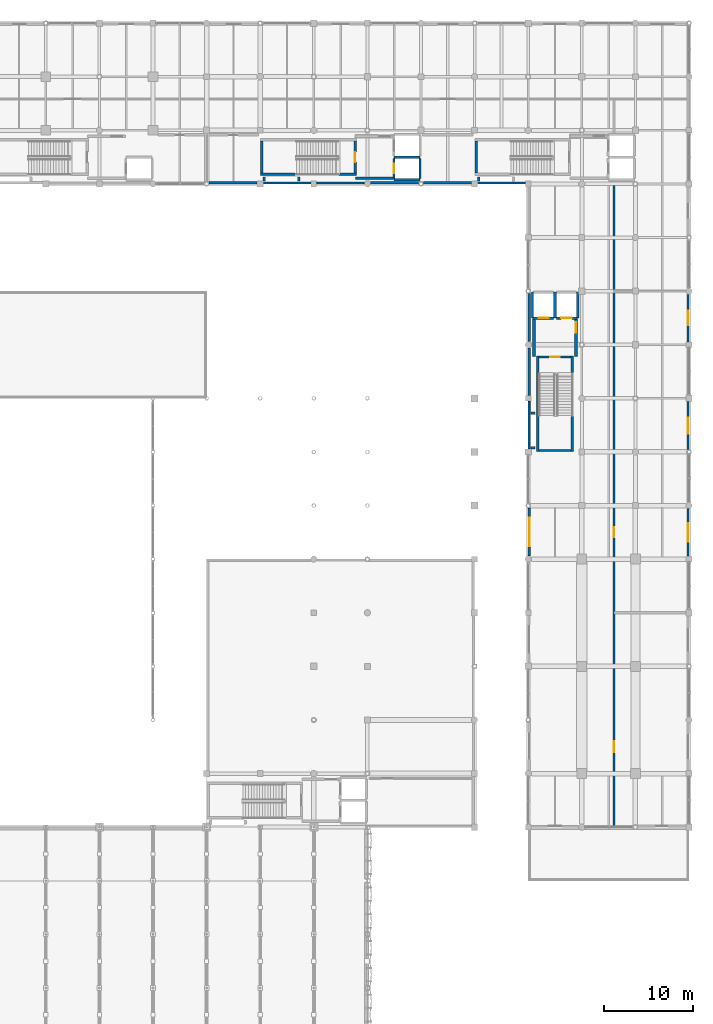
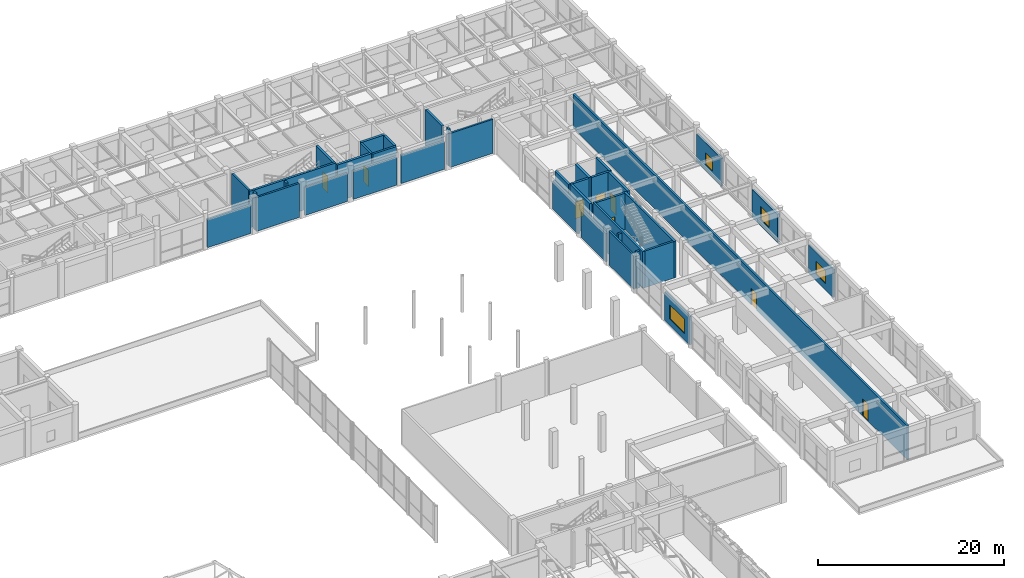
# One storey, part 103 of 123: 39 walls, 8 doors, 4 windows, 12 openings.
"""IFC4 building model written with IfcOpenShell, lengths in metres."""

from ifc_helpers import new_model, si_unit, direction, frame, frame_2d, origin, place, context, subcontext, project, spatial, rectangle, extrude, material, layer, layer_set, type_object, element, fill, save


model = new_model("IFC4")

# Units and contexts
model_context = context("Model", 3, precision=1e-05, world=origin(), true_north=direction((0.0, 1.0)))
body_context = subcontext(model_context, "Body", "Model", "MODEL_VIEW")
ifc_project = project(units=[si_unit("LENGTHUNIT", "METRE"), si_unit("AREAUNIT", "SQUARE_METRE"), si_unit("VOLUMEUNIT", "CUBIC_METRE"), si_unit("PLANEANGLEUNIT", "RADIAN"), si_unit("MASSUNIT", "GRAM", prefix="KILO"), si_unit("THERMODYNAMICTEMPERATUREUNIT", "KELVIN"), si_unit("POWERUNIT", "WATT")], contexts=[model_context])

# Site, building, storey
site_placement = place(None, origin())
site = spatial("IfcSite", under=ifc_project, at=site_placement, CompositionType="ELEMENT")
building_placement = place(site_placement, origin())
building = spatial("IfcBuilding", under=site, at=building_placement, Name="Phaisarnlok Congress Hotel", CompositionType="ELEMENT")
storey_placement = place(building_placement, frame((0.0, 0.0, 15.0)))
storey = spatial("IfcBuildingStorey", under=building, at=storey_placement, Name="L03", CompositionType="ELEMENT", Elevation=15.0)

# Walls
ifc_material_1 = material(Name="Concrete C40/50", Category="concrete")
ifc_layer_1 = layer(ifc_material_1, 0.2099609375, Name="Concrete C40/50")
ifc_layer_set_1 = layer_set([ifc_layer_1], Name="Concrete C40/50")
wall_type_1 = type_object("IfcWallType", Name="WL-EXT-210", PredefinedType="SOLIDWALL", material=ifc_layer_set_1)
wall_1_placement = place(storey_placement, frame((138.330078125, 108.10498046875, 0.0), z_axis=(0.0, 0.0, 1.0), x_axis=(1.0, 0.0, 0.0)))
element("IfcWall", 1, at=wall_1_placement, inside=storey, type_object=wall_type_1, Name="Exterior wall EW-07 (L03)", PredefinedType="SOLIDWALL", context=body_context, shape_type="SweptSolid", body=[
    extrude(rectangle(XDim=5.31494140625, YDim=0.2099609375, at=frame_2d((2.657470703125, 0.0))), origin(), (0.0, 0.0, 1.0), 3.699951171875),
])
wall_2_placement = place(storey_placement, frame((162.10498046875, 83.669921875, 0.0), z_axis=(0.0, 0.0, 1.0), x_axis=(0.0, -1.0, 0.0)))
element("IfcWall", 2, at=wall_2_placement, inside=storey, type_object=wall_type_1, Name="Exterior wall EW-07 (L03)", PredefinedType="SOLIDWALL", context=body_context, shape_type="SweptSolid", body=[
    extrude(rectangle(XDim=5.31494140625, YDim=0.2099609375, at=frame_2d((2.657470703125, 0.0))), origin(), (0.0, 0.0, 1.0), 4.449951171875),
])

# Wall, opening, window
wall_3_placement = place(storey_placement, frame((179.89501953125, 66.330078125, 0.0), z_axis=(0.0, 0.0, 1.0), x_axis=(0.0, 1.0, 0.0)))
wall_3 = element("IfcWall", 3, at=wall_3_placement, inside=storey, type_object=wall_type_1, Name="Exterior wall EW-07 (L03)", PredefinedType="SOLIDWALL", context=body_context, shape_type="SweptSolid", body=[
    extrude(rectangle(XDim=5.31494140625, YDim=0.2099609375, at=frame_2d((2.657470703125, 0.0))), origin(), (0.0, 0.0, 1.0), 3.699951171875),
])
opening_1_placement = place(wall_3_placement, frame((1.60693359375, 0.0, 0.85009765625)))
opening_1 = element("IfcOpeningElement", 4, at=opening_1_placement, cuts=wall_3, Name="Opening W-09", PredefinedType="OPENING", context=body_context, shape_type="SweptSolid", body=[
    extrude(rectangle(XDim=2.10009765625, YDim=1.699951171875, at=frame_2d((1.050048828125, 0.85009765625))), frame((0.0, 0.114990234375, 0.0), z_axis=(0.0, -1.0, 0.0), x_axis=(1.0, 0.0, 0.0)), (0.0, 0.0, 1.0), 0.22998046875),
])
ifc_material_2 = material(Name="Thermally Broken Aluminium & Low-E Double Glazing", Category="aluminium")
window_type_1 = type_object("IfcWindowType", Name="WIN-POD-2100", PartitioningType="SINGLE_PANEL", PredefinedType="WINDOW", material=ifc_material_2)
window_1_placement = place(opening_1_placement, origin())
window_1 = element("IfcWindow", 5, at=window_1_placement, inside=storey, type_object=window_type_1, Name="Podium window W-09 (L03)", OverallHeight=1.699951171875, OverallWidth=2.10009765625, PartitioningType="SINGLE_PANEL", PredefinedType="WINDOW", context=body_context, shape_type="SweptSolid", body=[
    extrude(rectangle(XDim=2.10009765625, YDim=1.699951171875, at=frame_2d((1.050048828125, 0.85009765625))), frame((0.0, 0.030029296875, 0.0), z_axis=(0.0, -1.0, 0.0), x_axis=(1.0, 0.0, 0.0)), (0.0, 0.0, 1.0), 0.06005859375),
])
fill(opening_1, window_1)

wall_4_placement = place(storey_placement, frame((179.89501953125, 90.330078125, 0.0), z_axis=(0.0, 0.0, 1.0), x_axis=(0.0, 1.0, 0.0)))
wall_4 = element("IfcWall", 6, at=wall_4_placement, inside=storey, type_object=wall_type_1, Name="Exterior wall EW-07 (L03)", PredefinedType="SOLIDWALL", context=body_context, shape_type="SweptSolid", body=[
    extrude(rectangle(XDim=5.31494140625, YDim=0.2099609375, at=frame_2d((2.657470703125, 0.0))), origin(), (0.0, 0.0, 1.0), 3.699951171875),
])
opening_2_placement = place(wall_4_placement, frame((1.85693359375, 0.0, 0.85009765625)))
opening_2 = element("IfcOpeningElement", 7, at=opening_2_placement, cuts=wall_4, Name="Opening W-11", PredefinedType="OPENING", context=body_context, shape_type="SweptSolid", body=[
    extrude(rectangle(XDim=1.60009765625, YDim=1.5, at=frame_2d((0.800048828125, 0.75))), frame((0.0, 0.114990234375, 0.0), z_axis=(0.0, -1.0, 0.0), x_axis=(1.0, 0.0, 0.0)), (0.0, 0.0, 1.0), 0.22998046875),
])
window_type_2 = type_object("IfcWindowType", Name="WIN-POD-1600", PartitioningType="SINGLE_PANEL", PredefinedType="WINDOW", material=ifc_material_2)
window_2_placement = place(opening_2_placement, origin())
window_2 = element("IfcWindow", 8, at=window_2_placement, inside=storey, type_object=window_type_2, Name="Podium window W-11 (L03)", OverallHeight=1.5, OverallWidth=1.60009765625, PartitioningType="SINGLE_PANEL", PredefinedType="WINDOW", context=body_context, shape_type="SweptSolid", body=[
    extrude(rectangle(XDim=1.60009765625, YDim=1.5, at=frame_2d((0.800048828125, 0.75))), frame((0.0, 0.030029296875, 0.0), z_axis=(0.0, -1.0, 0.0), x_axis=(1.0, 0.0, 0.0)), (0.0, 0.0, 1.0), 0.06005859375),
])
fill(opening_2, window_2)

# Walls
ifc_layer_2 = layer(ifc_material_1, 0.22998046875, Name="Concrete C40/50")
ifc_layer_set_2 = layer_set([ifc_layer_2], Name="Concrete C40/50")
wall_type_2 = type_object("IfcWallType", Name="WL-EXT-230", PredefinedType="SOLIDWALL", material=ifc_layer_set_2)
for number, where, z_axis, x_axis, name in (
    (9, (132.35498046875, 108.114990234375, 0.0), (0.0, 0.0, 1.0), (1.0, 0.0, 0.0), "Exterior wall EW-06 (L03)"),
    (10, (156.35498046875, 108.114990234375, 0.0), (0.0, 0.0, 1.0), (1.0, 0.0, 0.0), "Exterior wall EW-06 (L03)"),
):
    element("IfcWall", number, at=place(storey_placement, frame(where, z_axis=z_axis, x_axis=x_axis)), inside=storey, type_object=wall_type_2, Name=name, PredefinedType="SOLIDWALL", context=body_context, shape_type="SweptSolid", body=[
        extrude(rectangle(XDim=5.31494140625, YDim=0.22998046875, at=frame_2d((2.657470703125, 0.0))), origin(), (0.0, 0.0, 1.0), 4.449951171875),
    ])
wall_5_placement = place(storey_placement, frame((162.114990234375, 89.64501953125, 0.0), z_axis=(0.0, 0.0, 1.0), x_axis=(0.0, -1.0, 0.0)))
element("IfcWall", 11, at=wall_5_placement, inside=storey, type_object=wall_type_2, Name="Exterior wall EW-06 (L03)", PredefinedType="SOLIDWALL", context=body_context, shape_type="SweptSolid", body=[
    extrude(rectangle(XDim=5.31494140625, YDim=0.22998046875, at=frame_2d((2.657470703125, 0.0))), origin(), (0.0, 0.0, 1.0), 3.699951171875),
])
ifc_layer_3 = layer(ifc_material_1, 0.25, Name="Concrete C40/50")
ifc_layer_set_3 = layer_set([ifc_layer_3], Name="Concrete C40/50")
wall_type_3 = type_object("IfcWallType", Name="WL-EXT-250", PredefinedType="SOLIDWALL", material=ifc_layer_set_3)
for number, where, z_axis, x_axis, name in (
    (12, (126.259033203125, 108.125, 0.0), (0.0, 0.0, 1.0), (1.0, 0.0, 0.0), "Exterior wall EW-05 (L03)"),
    (13, (150.259033203125, 108.125, 0.0), (0.0, 0.0, 1.0), (1.0, 0.0, 0.0), "Exterior wall EW-05 (L03)"),
    (14, (162.125, 95.740966796875, 0.0), (0.0, 0.0, 1.0), (0.0, -1.0, 0.0), "Exterior wall EW-05 (L03)"),
):
    element("IfcWall", number, at=place(storey_placement, frame(where, z_axis=z_axis, x_axis=x_axis)), inside=storey, type_object=wall_type_3, Name=name, PredefinedType="SOLIDWALL", context=body_context, shape_type="SweptSolid", body=[
        extrude(rectangle(XDim=5.385986328125, YDim=0.25, at=frame_2d((2.69287109375, 0.0))), origin(), (0.0, 0.0, 1.0), 3.699951171875),
    ])

# Wall, opening, window
wall_6_placement = place(storey_placement, frame((162.125, 71.740966796875, 0.0), z_axis=(0.0, 0.0, 1.0), x_axis=(0.0, -1.0, 0.0)))
wall_6 = element("IfcWall", 15, at=wall_6_placement, inside=storey, type_object=wall_type_3, Name="Exterior wall EW-05 (L03)", PredefinedType="SOLIDWALL", context=body_context, shape_type="SweptSolid", body=[
    extrude(rectangle(XDim=5.385986328125, YDim=0.25, at=frame_2d((2.69287109375, 0.0))), origin(), (0.0, 0.0, 1.0), 3.699951171875),
])
opening_3_placement = place(wall_6_placement, frame((1.093017578125, 0.0, 0.85009765625)))
opening_3 = element("IfcOpeningElement", 16, at=opening_3_placement, cuts=wall_6, Name="Opening W-04", PredefinedType="OPENING", context=body_context, shape_type="SweptSolid", body=[
    extrude(rectangle(XDim=3.199951171875, YDim=1.85009765625, at=frame_2d((1.60009765625, 0.925048828125))), frame((0.0, 0.135009765625, 0.0), z_axis=(0.0, -1.0, 0.0), x_axis=(1.0, 0.0, 0.0)), (0.0, 0.0, 1.0), 0.27001953125),
])
window_type_3 = type_object("IfcWindowType", Name="WIN-SUITE-3200", PartitioningType="SINGLE_PANEL", PredefinedType="WINDOW", material=ifc_material_2)
window_3_placement = place(opening_3_placement, origin())
window_3 = element("IfcWindow", 17, at=window_3_placement, inside=storey, type_object=window_type_3, Name="Podium window W-04 (L03)", OverallHeight=1.85009765625, OverallWidth=3.199951171875, PartitioningType="SINGLE_PANEL", PredefinedType="WINDOW", context=body_context, shape_type="SweptSolid", body=[
    extrude(rectangle(XDim=3.199951171875, YDim=1.85009765625, at=frame_2d((1.60009765625, 0.925048828125))), frame((0.0, 0.030029296875, 0.0), z_axis=(0.0, -1.0, 0.0), x_axis=(1.0, 0.0, 0.0)), (0.0, 0.0, 1.0), 0.06005859375),
])
fill(opening_3, window_3)

wall_7_placement = place(storey_placement, frame((179.875, 78.259033203125, 0.0), z_axis=(0.0, 0.0, 1.0), x_axis=(0.0, 1.0, 0.0)))
wall_7 = element("IfcWall", 18, at=wall_7_placement, inside=storey, type_object=wall_type_3, Name="Exterior wall EW-05 (L03)", PredefinedType="SOLIDWALL", context=body_context, shape_type="SweptSolid", body=[
    extrude(rectangle(XDim=5.385986328125, YDim=0.25, at=frame_2d((2.69287109375, 0.0))), origin(), (0.0, 0.0, 1.0), 3.699951171875),
])
opening_4_placement = place(wall_7_placement, frame((1.79296875, 0.0, 0.85009765625)))
opening_4 = element("IfcOpeningElement", 19, at=opening_4_placement, cuts=wall_7, Name="Opening W-10", PredefinedType="OPENING", context=body_context, shape_type="SweptSolid", body=[
    extrude(rectangle(XDim=1.800048828125, YDim=1.699951171875, at=frame_2d((0.89990234375, 0.85009765625))), frame((0.0, 0.135009765625, 0.0), z_axis=(0.0, -1.0, 0.0), x_axis=(1.0, 0.0, 0.0)), (0.0, 0.0, 1.0), 0.27001953125),
])
window_type_4 = type_object("IfcWindowType", Name="WIN-POD-1800", PartitioningType="SINGLE_PANEL", PredefinedType="WINDOW", material=ifc_material_2)
window_4_placement = place(opening_4_placement, origin())
window_4 = element("IfcWindow", 20, at=window_4_placement, inside=storey, type_object=window_type_4, Name="Podium window W-10 (L03)", OverallHeight=1.699951171875, OverallWidth=1.800048828125, PartitioningType="SINGLE_PANEL", PredefinedType="WINDOW", context=body_context, shape_type="SweptSolid", body=[
    extrude(rectangle(XDim=1.800048828125, YDim=1.699951171875, at=frame_2d((0.89990234375, 0.85009765625))), frame((0.0, 0.030029296875, 0.0), z_axis=(0.0, -1.0, 0.0), x_axis=(1.0, 0.0, 0.0)), (0.0, 0.0, 1.0), 0.06005859375),
])
fill(opening_4, window_4)

# Wall
ifc_layer_4 = layer(ifc_material_1, 0.27001953125, Name="Concrete C40/50")
ifc_layer_set_4 = layer_set([ifc_layer_4], Name="Concrete C40/50")
wall_type_4 = type_object("IfcWallType", Name="WL-EXT-270", PredefinedType="SOLIDWALL", material=ifc_layer_set_4)
wall_8_placement = place(storey_placement, frame((144.35498046875, 108.135009765625, 0.0), z_axis=(0.0, 0.0, 1.0), x_axis=(1.0, 0.0, 0.0)))
element("IfcWall", 21, at=wall_8_placement, inside=storey, type_object=wall_type_4, Name="Exterior wall EW-04 (L03)", PredefinedType="SOLIDWALL", context=body_context, shape_type="SweptSolid", body=[
    extrude(rectangle(XDim=5.385986328125, YDim=0.27001953125, at=frame_2d((2.69287109375, 0.0))), origin(), (0.0, 0.0, 1.0), 3.699951171875),
])

# Wall, openings, doors
ifc_layer_5 = layer(ifc_material_1, 0.239990234375, Name="Concrete C40/50")
ifc_layer_set_5 = layer_set([ifc_layer_5], Name="Concrete C40/50")
wall_type_5 = type_object("IfcWallType", Name="WL-INT-240", PredefinedType="PARTITIONING", material=ifc_layer_set_5)
wall_9_placement = place(storey_placement, frame((171.60009765625, 36.044921875, 0.0), z_axis=(0.0, 0.0, 1.0), x_axis=(0.0, 1.0, 0.0)))
wall_9 = element("IfcWall", 22, at=wall_9_placement, inside=storey, type_object=wall_type_5, Name="Interior partition wall IW-01 (L03)", PredefinedType="PARTITIONING", context=body_context, shape_type="SweptSolid", body=[
    extrude(rectangle(XDim=71.775146484375, YDim=0.239990234375, at=frame_2d((35.8876953125, 0.0))), origin(), (0.0, 0.0, 1.0), 4.449951171875),
])
opening_5_placement = place(wall_9_placement, frame((8.35498046875, 0.0, 0.0)))
opening_5 = element("IfcOpeningElement", 23, at=opening_5_placement, cuts=wall_9, Name="Opening D-0118", PredefinedType="OPENING", context=body_context, shape_type="SweptSolid", body=[
    extrude(rectangle(XDim=1.199951171875, YDim=2.199951171875, at=frame_2d((0.60009765625, 1.10009765625))), frame((0.0, 0.1298828125, 0.0), z_axis=(0.0, -1.0, 0.0), x_axis=(1.0, 0.0, 0.0)), (0.0, 0.0, 1.0), 0.260009765625),
])
opening_6_placement = place(wall_9_placement, frame((32.405029296875, 0.0, 0.0)))
opening_6 = element("IfcOpeningElement", 24, at=opening_6_placement, cuts=wall_9, Name="Opening D-0119", PredefinedType="OPENING", context=body_context, shape_type="SweptSolid", body=[
    extrude(rectangle(XDim=1.10009765625, YDim=2.14990234375, at=frame_2d((0.550048828125, 1.074951171875))), frame((0.0, 0.1298828125, 0.0), z_axis=(0.0, -1.0, 0.0), x_axis=(1.0, 0.0, 0.0)), (0.0, 0.0, 1.0), 0.260009765625),
])
ifc_material_3 = material(Name="Fire-Rated Steel Frame & Timber Leaf", Category="steel")
door_type_1 = type_object("IfcDoorType", Name="DR-FD60-1100", OperationType="NOTDEFINED", PredefinedType="DOOR", material=ifc_material_3)
door_1_placement = place(opening_6_placement, origin())
door_1 = element("IfcDoor", 25, at=door_1_placement, inside=storey, type_object=door_type_1, Name="Interior door D-0119 (L03)", OperationType="SINGLE_SWING_LEFT", OverallHeight=2.14990234375, OverallWidth=1.10009765625, PredefinedType="DOOR", context=body_context, shape_type="SweptSolid", body=[
    extrude(rectangle(XDim=1.10009765625, YDim=2.14990234375, at=frame_2d((0.550048828125, 1.074951171875))), frame((0.0, 0.02490234375, 0.0), z_axis=(0.0, -1.0, 0.0), x_axis=(1.0, 0.0, 0.0)), (0.0, 0.0, 1.0), 0.050048828125),
])
fill(opening_6, door_1)
door_type_2 = type_object("IfcDoorType", Name="DR-FD60-1200", OperationType="NOTDEFINED", PredefinedType="DOOR", material=ifc_material_3)
door_2_placement = place(opening_5_placement, origin())
door_2 = element("IfcDoor", 26, at=door_2_placement, inside=storey, type_object=door_type_2, Name="Interior door D-0118 (L03)", OperationType="SINGLE_SWING_RIGHT", OverallHeight=2.199951171875, OverallWidth=1.199951171875, PredefinedType="DOOR", context=body_context, shape_type="SweptSolid", body=[
    extrude(rectangle(XDim=1.199951171875, YDim=2.199951171875, at=frame_2d((0.60009765625, 1.10009765625))), frame((0.0, 0.02490234375, 0.0), z_axis=(0.0, -1.0, 0.0), x_axis=(1.0, 0.0, 0.0)), (0.0, 0.0, 1.0), 0.050048828125),
])
fill(opening_5, door_2)

# Walls
ifc_material_4 = material(Name="Concrete C50/60", Category="concrete")
ifc_layer_6 = layer(ifc_material_4, 0.260009765625, Name="Concrete C50/60")
ifc_layer_set_6 = layer_set([ifc_layer_6], Name="Concrete C50/60")
wall_type_6 = type_object("IfcWallType", Name="WL-SHR-260", PredefinedType="SHEAR", material=ifc_layer_set_6)
wall_10_placement = place(storey_placement, frame((156.169921875, 109.199951171875, 0.0), z_axis=(0.0, 0.0, 1.0), x_axis=(0.0, 1.0, 0.0)))
element("IfcWall", 27, at=wall_10_placement, inside=storey, type_object=wall_type_6, Name="Stair shaft shear wall SW-04 (CORE-1 L03)", PredefinedType="SHEAR", context=body_context, shape_type="SweptSolid", body=[
    extrude(rectangle(XDim=3.60009765625, YDim=0.260009765625, at=frame_2d((1.800048828125, 0.0))), origin(), (0.0, 0.0, 1.0), 4.800048828125),
])
wall_11_placement = place(storey_placement, frame((156.469970703125, 108.330078125, 0.0), z_axis=(0.0, 0.0, 1.0), x_axis=(0.0, 1.0, 0.0)))
element("IfcWall", 28, at=wall_11_placement, inside=storey, type_object=wall_type_6, Name="Service riser shaft wall SW-04 (CORE-1 L03)", PredefinedType="SHEAR", context=body_context, shape_type="SweptSolid", body=[
    extrude(rectangle(XDim=0.43994140625, YDim=0.260009765625, at=frame_2d((0.219970703125, 0.0))), origin(), (0.0, 0.0, 1.0), 4.800048828125),
])
wall_12_placement = place(storey_placement, frame((132.0400390625, 109.070068359375, 0.0), z_axis=(0.0, 0.0, 1.0), x_axis=(1.0, 0.0, 0.0)))
element("IfcWall", 29, at=wall_12_placement, inside=storey, type_object=wall_type_6, Name="Stair shaft shear wall SW-04 (CORE-2 L03)", PredefinedType="SHEAR", context=body_context, shape_type="SweptSolid", body=[
    extrude(rectangle(XDim=10.719970703125, YDim=0.260009765625, at=frame_2d((5.35986328125, 0.0))), origin(), (0.0, 0.0, 1.0), 4.800048828125),
])
wall_13_placement = place(storey_placement, frame((132.169921875, 109.199951171875, 0.0), z_axis=(0.0, 0.0, 1.0), x_axis=(0.0, 1.0, 0.0)))
element("IfcWall", 30, at=wall_13_placement, inside=storey, type_object=wall_type_6, Name="Stair shaft shear wall SW-04 (CORE-2 L03)", PredefinedType="SHEAR", context=body_context, shape_type="SweptSolid", body=[
    extrude(rectangle(XDim=3.60009765625, YDim=0.260009765625, at=frame_2d((1.800048828125, 0.0))), origin(), (0.0, 0.0, 1.0), 4.800048828125),
])

# Wall, opening, door
wall_14_placement = place(storey_placement, frame((142.6298828125, 109.199951171875, 0.0), z_axis=(0.0, 0.0, 1.0), x_axis=(0.0, 1.0, 0.0)))
wall_14 = element("IfcWall", 31, at=wall_14_placement, inside=storey, type_object=wall_type_6, Name="Stair shaft shear wall SW-04 (CORE-2 L03)", PredefinedType="SHEAR", context=body_context, shape_type="SweptSolid", body=[
    extrude(rectangle(XDim=3.60009765625, YDim=0.260009765625, at=frame_2d((1.800048828125, 0.0))), origin(), (0.0, 0.0, 1.0), 4.800048828125),
])
opening_7_placement = place(wall_14_placement, frame((1.25, 0.0, 0.0)))
opening_7 = element("IfcOpeningElement", 32, at=opening_7_placement, cuts=wall_14, Name="Opening FD-035", PredefinedType="OPENING", context=body_context, shape_type="SweptSolid", body=[
    extrude(rectangle(XDim=1.10009765625, YDim=2.14990234375, at=frame_2d((0.550048828125, 1.074951171875))), frame((0.0, 0.14013671875, 0.0), z_axis=(0.0, -1.0, 0.0), x_axis=(1.0, 0.0, 0.0)), (0.0, 0.0, 1.0), 0.280029296875),
])
door_3_placement = place(opening_7_placement, origin())
door_3 = element("IfcDoor", 33, at=door_3_placement, inside=storey, type_object=door_type_1, Name="Stair enclosure fire door FD-035 (L03)", OperationType="SINGLE_SWING_RIGHT", OverallHeight=2.14990234375, OverallWidth=1.10009765625, PredefinedType="DOOR", context=body_context, shape_type="SweptSolid", body=[
    extrude(rectangle(XDim=1.10009765625, YDim=2.14990234375, at=frame_2d((0.550048828125, 1.074951171875))), frame((0.0, 0.02490234375, 0.0), z_axis=(0.0, -1.0, 0.0), x_axis=(1.0, 0.0, 0.0)), (0.0, 0.0, 1.0), 0.050048828125),
])
fill(opening_7, door_3)

# Walls
wall_15_placement = place(storey_placement, frame((146.969970703125, 108.469970703125, 0.0), z_axis=(0.0, 0.0, 1.0), x_axis=(1.0, 0.0, 0.0)))
element("IfcWall", 34, at=wall_15_placement, inside=storey, type_object=wall_type_6, Name="Lift shaft shear wall SW-04 (LF-FF2 L03)", PredefinedType="SHEAR", context=body_context, shape_type="SweptSolid", body=[
    extrude(rectangle(XDim=2.909912109375, YDim=0.260009765625, at=frame_2d((1.455078125, 0.0))), origin(), (0.0, 0.0, 1.0), 4.800048828125),
])
wall_16_placement = place(storey_placement, frame((149.8798828125, 108.60009765625, 0.0), z_axis=(0.0, 0.0, 1.0), x_axis=(0.0, 1.0, 0.0)))
element("IfcWall", 35, at=wall_16_placement, inside=storey, type_object=wall_type_6, Name="Lift shaft shear wall SW-04 (LF-FF2 L03)", PredefinedType="SHEAR", context=body_context, shape_type="SweptSolid", body=[
    extrude(rectangle(XDim=2.25, YDim=0.260009765625, at=frame_2d((1.125, 0.0))), origin(), (0.0, 0.0, 1.0), 4.800048828125),
])

# Wall, opening, door
wall_17_placement = place(storey_placement, frame((146.969970703125, 108.60009765625, 0.0), z_axis=(0.0, 0.0, 1.0), x_axis=(0.0, 1.0, 0.0)))
wall_17 = element("IfcWall", 36, at=wall_17_placement, inside=storey, type_object=wall_type_6, Name="Lift shaft front wall SW-04 (LF-FF2 L03)", PredefinedType="SHEAR", context=body_context, shape_type="SweptSolid", body=[
    extrude(rectangle(XDim=2.25, YDim=0.260009765625, at=frame_2d((1.125, 0.0))), origin(), (0.0, 0.0, 1.0), 4.800048828125),
])
opening_8_placement = place(wall_17_placement, frame((0.574951171875, 0.0, 0.0)))
opening_8 = element("IfcOpeningElement", 37, at=opening_8_placement, cuts=wall_17, Name="Opening LD-035", PredefinedType="OPENING", context=body_context, shape_type="SweptSolid", body=[
    extrude(rectangle(XDim=1.10009765625, YDim=2.199951171875, at=frame_2d((0.550048828125, 1.10009765625))), frame((0.0, 0.14013671875, 0.0), z_axis=(0.0, -1.0, 0.0), x_axis=(1.0, 0.0, 0.0)), (0.0, 0.0, 1.0), 0.280029296875),
])
ifc_material_5 = material(Name="Brushed Stainless Steel Grade 304", Category="steel")
door_type_3 = type_object("IfcDoorType", Name="DR-LD-1100", OperationType="DOUBLE_DOOR_SLIDING", PredefinedType="DOOR", material=ifc_material_5)
door_4_placement = place(opening_8_placement, origin())
door_4 = element("IfcDoor", 38, at=door_4_placement, inside=storey, type_object=door_type_3, Name="Lift landing sliding door LD-035 (LF-FF2 L03)", OperationType="DOUBLE_DOOR_SLIDING", OverallHeight=2.199951171875, OverallWidth=1.10009765625, PredefinedType="DOOR", context=body_context, shape_type="SweptSolid", body=[
    extrude(rectangle(XDim=1.10009765625, YDim=2.199951171875, at=frame_2d((0.550048828125, 1.10009765625))), frame((0.0, 0.02490234375, 0.0), z_axis=(0.0, -1.0, 0.0), x_axis=(1.0, 0.0, 0.0)), (0.0, 0.0, 1.0), 0.050048828125),
])
fill(opening_8, door_4)

# Walls
for number, where, z_axis, x_axis, name in (
    (39, (132.469970703125, 108.330078125, 0.0), (0.0, 0.0, 1.0), (0.0, 1.0, 0.0), "Service riser shaft wall SW-04 (CORE-2 L03)"),
    (40, (136.330078125, 108.330078125, 0.0), (0.0, 0.0, 1.0), (0.0, 1.0, 0.0), "Service riser shaft wall SW-04 (CORE-2 L03)"),
):
    element("IfcWall", number, at=place(storey_placement, frame(where, z_axis=z_axis, x_axis=x_axis)), inside=storey, type_object=wall_type_6, Name=name, PredefinedType="SHEAR", context=body_context, shape_type="SweptSolid", body=[
        extrude(rectangle(XDim=0.43994140625, YDim=0.260009765625, at=frame_2d((0.219970703125, 0.0))), origin(), (0.0, 0.0, 1.0), 4.800048828125),
    ])
for number, where, z_axis, x_axis, name in (
    (41, (163.070068359375, 78.0400390625, 0.0), (0.0, 0.0, 1.0), (0.0, 1.0, 0.0), "Stair shaft shear wall SW-04 (CORE-3 L03)"),
    (42, (166.929931640625, 78.0400390625, 0.0), (0.0, 0.0, 1.0), (0.0, 1.0, 0.0), "Stair shaft shear wall SW-04 (CORE-3 L03)"),
):
    element("IfcWall", number, at=place(storey_placement, frame(where, z_axis=z_axis, x_axis=x_axis)), inside=storey, type_object=wall_type_6, Name=name, PredefinedType="SHEAR", context=body_context, shape_type="SweptSolid", body=[
        extrude(rectangle(XDim=10.719970703125, YDim=0.260009765625, at=frame_2d((5.35986328125, 0.0))), origin(), (0.0, 0.0, 1.0), 4.800048828125),
    ])
wall_18_placement = place(storey_placement, frame((163.199951171875, 78.169921875, 0.0), z_axis=(0.0, 0.0, 1.0), x_axis=(1.0, 0.0, 0.0)))
element("IfcWall", 43, at=wall_18_placement, inside=storey, type_object=wall_type_6, Name="Stair shaft shear wall SW-04 (CORE-3 L03)", PredefinedType="SHEAR", context=body_context, shape_type="SweptSolid", body=[
    extrude(rectangle(XDim=3.60009765625, YDim=0.260009765625, at=frame_2d((1.800048828125, 0.0))), origin(), (0.0, 0.0, 1.0), 4.800048828125),
])

# Wall, opening, door
wall_19_placement = place(storey_placement, frame((163.199951171875, 88.6298828125, 0.0), z_axis=(0.0, 0.0, 1.0), x_axis=(1.0, 0.0, 0.0)))
wall_19 = element("IfcWall", 44, at=wall_19_placement, inside=storey, type_object=wall_type_6, Name="Stair shaft shear wall SW-04 (CORE-3 L03)", PredefinedType="SHEAR", context=body_context, shape_type="SweptSolid", body=[
    extrude(rectangle(XDim=3.60009765625, YDim=0.260009765625, at=frame_2d((1.800048828125, 0.0))), origin(), (0.0, 0.0, 1.0), 4.800048828125),
])
opening_9_placement = place(wall_19_placement, frame((1.25, 0.0, 0.0)))
opening_9 = element("IfcOpeningElement", 45, at=opening_9_placement, cuts=wall_19, Name="Opening FD-065", PredefinedType="OPENING", context=body_context, shape_type="SweptSolid", body=[
    extrude(rectangle(XDim=1.10009765625, YDim=2.14990234375, at=frame_2d((0.550048828125, 1.074951171875))), frame((0.0, 0.14013671875, 0.0), z_axis=(0.0, -1.0, 0.0), x_axis=(1.0, 0.0, 0.0)), (0.0, 0.0, 1.0), 0.280029296875),
])
door_5_placement = place(opening_9_placement, origin())
door_5 = element("IfcDoor", 46, at=door_5_placement, inside=storey, type_object=door_type_1, Name="Stair enclosure fire door FD-065 (L03)", OperationType="SINGLE_SWING_RIGHT", OverallHeight=2.14990234375, OverallWidth=1.10009765625, PredefinedType="DOOR", context=body_context, shape_type="SweptSolid", body=[
    extrude(rectangle(XDim=1.10009765625, YDim=2.14990234375, at=frame_2d((0.550048828125, 1.074951171875))), frame((0.0, 0.02490234375, 0.0), z_axis=(0.0, -1.0, 0.0), x_axis=(1.0, 0.0, 0.0)), (0.0, 0.0, 1.0), 0.050048828125),
])
fill(opening_9, door_5)

# Wall
wall_20_placement = place(storey_placement, frame((162.469970703125, 92.969970703125, 0.0), z_axis=(0.0, 0.0, 1.0), x_axis=(0.0, 1.0, 0.0)))
element("IfcWall", 47, at=wall_20_placement, inside=storey, type_object=wall_type_6, Name="Lift shaft shear wall SW-04 (LF-HP3 L03)", PredefinedType="SHEAR", context=body_context, shape_type="SweptSolid", body=[
    extrude(rectangle(XDim=2.909912109375, YDim=0.260009765625, at=frame_2d((1.455078125, 0.0))), origin(), (0.0, 0.0, 1.0), 4.800048828125),
])

# Wall, opening, door
wall_21_placement = place(storey_placement, frame((162.60009765625, 92.969970703125, 0.0), z_axis=(0.0, 0.0, 1.0), x_axis=(1.0, 0.0, 0.0)))
wall_21 = element("IfcWall", 48, at=wall_21_placement, inside=storey, type_object=wall_type_6, Name="Lift shaft front wall SW-04 (LF-HP3 L03)", PredefinedType="SHEAR", context=body_context, shape_type="SweptSolid", body=[
    extrude(rectangle(XDim=2.25, YDim=0.260009765625, at=frame_2d((1.125, 0.0))), origin(), (0.0, 0.0, 1.0), 4.800048828125),
])
opening_10_placement = place(wall_21_placement, frame((0.574951171875, 0.0, 0.0)))
opening_10 = element("IfcOpeningElement", 49, at=opening_10_placement, cuts=wall_21, Name="Opening LD-065", PredefinedType="OPENING", context=body_context, shape_type="SweptSolid", body=[
    extrude(rectangle(XDim=1.10009765625, YDim=2.199951171875, at=frame_2d((0.550048828125, 1.10009765625))), frame((0.0, 0.14013671875, 0.0), z_axis=(0.0, -1.0, 0.0), x_axis=(1.0, 0.0, 0.0)), (0.0, 0.0, 1.0), 0.280029296875),
])
door_6_placement = place(opening_10_placement, origin())
door_6 = element("IfcDoor", 50, at=door_6_placement, inside=storey, type_object=door_type_3, Name="Lift landing sliding door LD-065 (LF-HP3 L03)", OperationType="DOUBLE_DOOR_SLIDING", OverallHeight=2.199951171875, OverallWidth=1.10009765625, PredefinedType="DOOR", context=body_context, shape_type="SweptSolid", body=[
    extrude(rectangle(XDim=1.10009765625, YDim=2.199951171875, at=frame_2d((0.550048828125, 1.10009765625))), frame((0.0, 0.02490234375, 0.0), z_axis=(0.0, -1.0, 0.0), x_axis=(1.0, 0.0, 0.0)), (0.0, 0.0, 1.0), 0.050048828125),
])
fill(opening_10, door_6)

# Wall
wall_22_placement = place(storey_placement, frame((167.530029296875, 92.969970703125, 0.0), z_axis=(0.0, 0.0, 1.0), x_axis=(0.0, 1.0, 0.0)))
element("IfcWall", 51, at=wall_22_placement, inside=storey, type_object=wall_type_6, Name="Lift shaft shear wall SW-04 (LF-SV1 L03)", PredefinedType="SHEAR", context=body_context, shape_type="SweptSolid", body=[
    extrude(rectangle(XDim=2.909912109375, YDim=0.260009765625, at=frame_2d((1.455078125, 0.0))), origin(), (0.0, 0.0, 1.0), 4.800048828125),
])

# Wall, opening, door
wall_23_placement = place(storey_placement, frame((165.14990234375, 92.969970703125, 0.0), z_axis=(0.0, 0.0, 1.0), x_axis=(1.0, 0.0, 0.0)))
wall_23 = element("IfcWall", 52, at=wall_23_placement, inside=storey, type_object=wall_type_6, Name="Lift shaft front wall SW-04 (LF-SV1 L03)", PredefinedType="SHEAR", context=body_context, shape_type="SweptSolid", body=[
    extrude(rectangle(XDim=2.25, YDim=0.260009765625, at=frame_2d((1.125, 0.0))), origin(), (0.0, 0.0, 1.0), 4.800048828125),
])
opening_11_placement = place(wall_23_placement, frame((0.52490234375, 0.0, 0.0)))
opening_11 = element("IfcOpeningElement", 53, at=opening_11_placement, cuts=wall_23, Name="Opening LD-080", PredefinedType="OPENING", context=body_context, shape_type="SweptSolid", body=[
    extrude(rectangle(XDim=1.199951171875, YDim=2.25, at=frame_2d((0.60009765625, 1.125))), frame((0.0, 0.14013671875, 0.0), z_axis=(0.0, -1.0, 0.0), x_axis=(1.0, 0.0, 0.0)), (0.0, 0.0, 1.0), 0.280029296875),
])
door_type_4 = type_object("IfcDoorType", Name="DR-LD-1200", OperationType="DOUBLE_DOOR_SLIDING", PredefinedType="DOOR", material=ifc_material_5)
door_7_placement = place(opening_11_placement, origin())
door_7 = element("IfcDoor", 54, at=door_7_placement, inside=storey, type_object=door_type_4, Name="Lift landing sliding door LD-080 (LF-SV1 L03)", OperationType="DOUBLE_DOOR_SLIDING", OverallHeight=2.25, OverallWidth=1.199951171875, PredefinedType="DOOR", context=body_context, shape_type="SweptSolid", body=[
    extrude(rectangle(XDim=1.199951171875, YDim=2.25, at=frame_2d((0.60009765625, 1.125))), frame((0.0, 0.02490234375, 0.0), z_axis=(0.0, -1.0, 0.0), x_axis=(1.0, 0.0, 0.0)), (0.0, 0.0, 1.0), 0.050048828125),
])
fill(opening_11, door_7)

# Walls
for number, where, z_axis, x_axis, name in (
    (55, (162.330078125, 78.469970703125, 0.0), (0.0, 0.0, 1.0), (1.0, 0.0, 0.0), "Service riser shaft wall SW-04 (CORE-3 L03)"),
    (56, (162.330078125, 82.330078125, 0.0), (0.0, 0.0, 1.0), (1.0, 0.0, 0.0), "Service riser shaft wall SW-04 (CORE-3 L03)"),
):
    element("IfcWall", number, at=place(storey_placement, frame(where, z_axis=z_axis, x_axis=x_axis)), inside=storey, type_object=wall_type_6, Name=name, PredefinedType="SHEAR", context=body_context, shape_type="SweptSolid", body=[
        extrude(rectangle(XDim=0.43994140625, YDim=0.260009765625, at=frame_2d((0.219970703125, 0.0))), origin(), (0.0, 0.0, 1.0), 4.800048828125),
    ])
ifc_layer_7 = layer(ifc_material_4, 0.300048828125, Name="Concrete C50/60")
ifc_layer_set_7 = layer_set([ifc_layer_7], Name="Concrete C50/60")
wall_type_7 = type_object("IfcWallType", Name="WL-SHR-300", PredefinedType="SHEAR", material=ifc_layer_set_7)
wall_24_placement = place(storey_placement, frame((146.969970703125, 111.0, 0.0), z_axis=(0.0, 0.0, 1.0), x_axis=(1.0, 0.0, 0.0)))
element("IfcWall", 57, at=wall_24_placement, inside=storey, type_object=wall_type_7, Name="Lift shaft divider shear wall SW-03 (LF-FF2 L03)", PredefinedType="SHEAR", context=body_context, shape_type="SweptSolid", body=[
    extrude(rectangle(XDim=2.909912109375, YDim=0.300048828125, at=frame_2d((1.455078125, 0.0))), origin(), (0.0, 0.0, 1.0), 4.800048828125),
])
wall_25_placement = place(storey_placement, frame((142.679931640625, 108.64990234375, 0.0), z_axis=(0.0, 0.0, 1.0), x_axis=(1.0, 0.0, 0.0)))
element("IfcWall", 58, at=wall_25_placement, inside=storey, type_object=wall_type_7, Name="Core lobby EI-120 wall SW-03 (CORE-2 L03)", PredefinedType="SHEAR", context=body_context, shape_type="SweptSolid", body=[
    extrude(rectangle(XDim=4.239990234375, YDim=0.300048828125, at=frame_2d((2.1201171875, 0.0))), origin(), (0.0, 0.0, 1.0), 4.800048828125),
])
wall_26_placement = place(storey_placement, frame((165.0, 92.969970703125, 0.0), z_axis=(0.0, 0.0, 1.0), x_axis=(0.0, 1.0, 0.0)))
element("IfcWall", 59, at=wall_26_placement, inside=storey, type_object=wall_type_7, Name="Lift shaft divider shear wall SW-03 (LF-HP3 L03)", PredefinedType="SHEAR", context=body_context, shape_type="SweptSolid", body=[
    extrude(rectangle(XDim=2.909912109375, YDim=0.300048828125, at=frame_2d((1.455078125, 0.0))), origin(), (0.0, 0.0, 1.0), 4.800048828125),
])

# Wall, opening, door
wall_27_placement = place(storey_placement, frame((167.35009765625, 88.679931640625, 0.0), z_axis=(0.0, 0.0, 1.0), x_axis=(0.0, 1.0, 0.0)))
wall_27 = element("IfcWall", 60, at=wall_27_placement, inside=storey, type_object=wall_type_7, Name="Core lobby EI-120 wall SW-03 (CORE-3 L03)", PredefinedType="SHEAR", context=body_context, shape_type="SweptSolid", body=[
    extrude(rectangle(XDim=4.239990234375, YDim=0.300048828125, at=frame_2d((2.1201171875, 0.0))), origin(), (0.0, 0.0, 1.0), 4.800048828125),
])
opening_12_placement = place(wall_27_placement, frame((2.64990234375, 0.0, 0.0)))
opening_12 = element("IfcOpeningElement", 61, at=opening_12_placement, cuts=wall_27, Name="Opening FD-080", PredefinedType="OPENING", context=body_context, shape_type="SweptSolid", body=[
    extrude(rectangle(XDim=1.199951171875, YDim=2.199951171875, at=frame_2d((0.60009765625, 1.10009765625))), frame((0.0, 0.16015625, 0.0), z_axis=(0.0, -1.0, 0.0), x_axis=(1.0, 0.0, 0.0)), (0.0, 0.0, 1.0), 0.320068359375),
])
door_8_placement = place(opening_12_placement, origin())
door_8 = element("IfcDoor", 62, at=door_8_placement, inside=storey, type_object=door_type_2, Name="Core lobby entrance door FD-080 (CORE-3 L03)", OperationType="SINGLE_SWING_LEFT", OverallHeight=2.199951171875, OverallWidth=1.199951171875, PredefinedType="DOOR", context=body_context, shape_type="SweptSolid", body=[
    extrude(rectangle(XDim=1.199951171875, YDim=2.199951171875, at=frame_2d((0.60009765625, 1.10009765625))), frame((0.0, 0.02490234375, 0.0), z_axis=(0.0, -1.0, 0.0), x_axis=(1.0, 0.0, 0.0)), (0.0, 0.0, 1.0), 0.050048828125),
])
fill(opening_12, door_8)

# Wall
wall_28_placement = place(storey_placement, frame((162.64990234375, 88.679931640625, 0.0), z_axis=(0.0, 0.0, 1.0), x_axis=(0.0, 1.0, 0.0)))
element("IfcWall", 63, at=wall_28_placement, inside=storey, type_object=wall_type_7, Name="Core lobby EI-120 wall SW-03 (CORE-3 L03)", PredefinedType="SHEAR", context=body_context, shape_type="SweptSolid", body=[
    extrude(rectangle(XDim=4.239990234375, YDim=0.300048828125, at=frame_2d((2.1201171875, 0.0))), origin(), (0.0, 0.0, 1.0), 4.800048828125),
])

save(model, "model.ifc")
